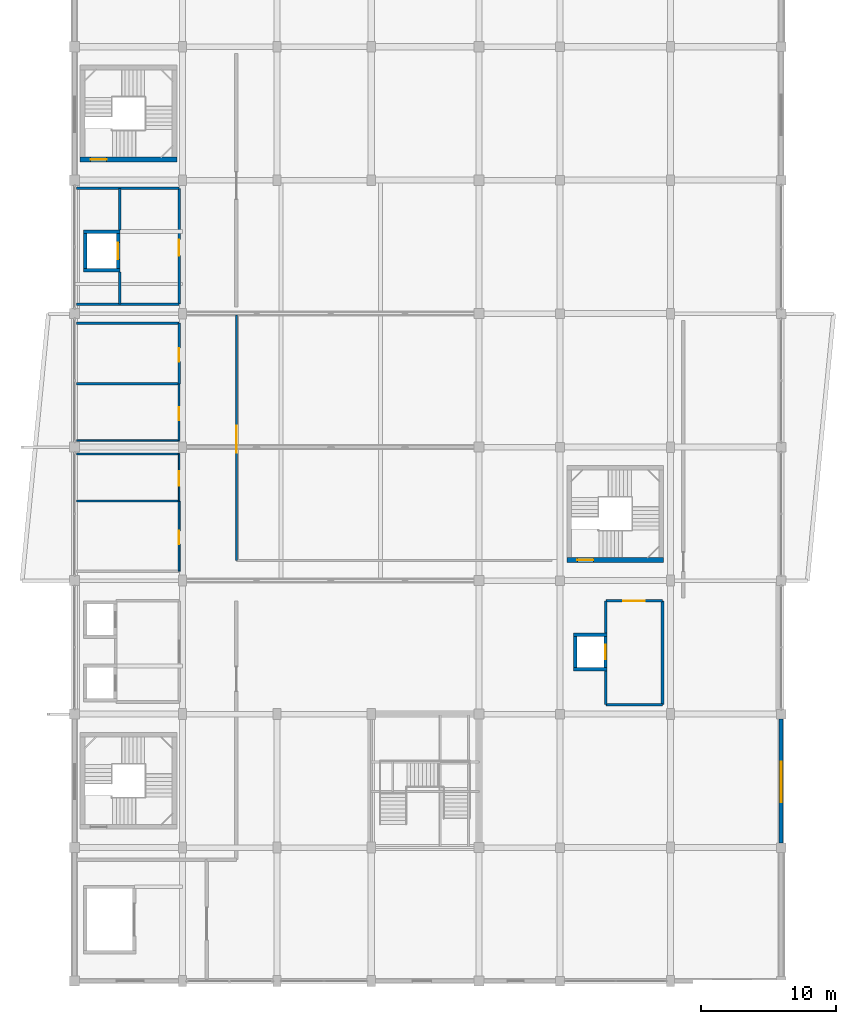
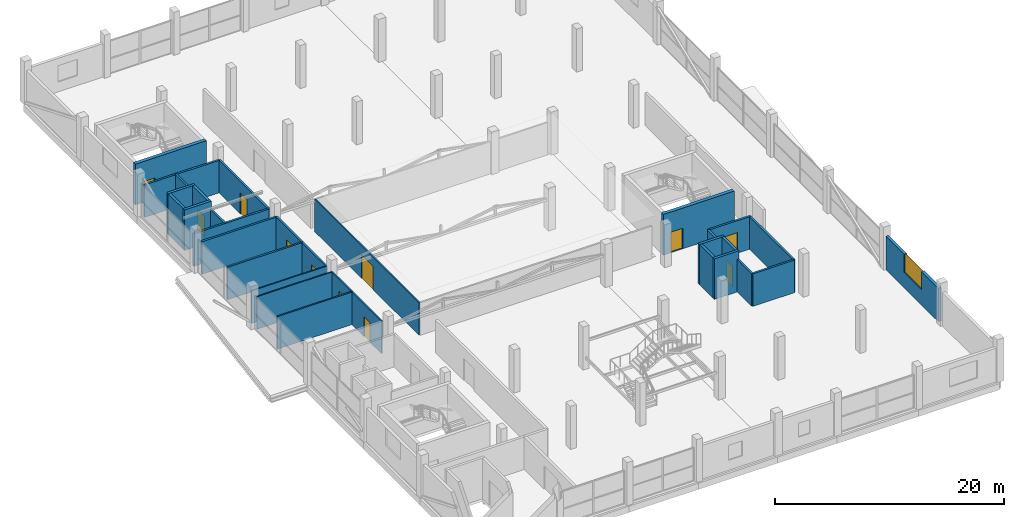
# One storey, part 42 of 58: 31 walls, 11 doors, 1 window, 12 openings.
"""IFC4 building model written with IfcOpenShell, lengths in metres."""

from ifc_helpers import new_model, si_unit, direction, frame, frame_2d, origin, place, context, subcontext, project, spatial, rectangle, extrude, material, layer, layer_set, type_object, element, fill, save


model = new_model("IFC4")

# Units and contexts
model_context = context("Model", 3, precision=1e-05, world=origin(), true_north=direction((0.0, 1.0)))
body_context = subcontext(model_context, "Body", "Model", "MODEL_VIEW")
ifc_project = project(units=[si_unit("LENGTHUNIT", "METRE"), si_unit("AREAUNIT", "SQUARE_METRE"), si_unit("VOLUMEUNIT", "CUBIC_METRE"), si_unit("PLANEANGLEUNIT", "RADIAN"), si_unit("MASSUNIT", "GRAM", prefix="KILO")], contexts=[model_context])

# Site, building, storey
site_placement = place(None, origin())
site = spatial("IfcSite", under=ifc_project, at=site_placement, CompositionType="ELEMENT")
building_placement = place(site_placement, origin())
building = spatial("IfcBuilding", under=site, at=building_placement, Name="Sillaruma Civic Art Gallery", CompositionType="ELEMENT")
storey_placement = place(building_placement, frame((0.0, 0.0, 28.56005859375)))
storey = spatial("IfcBuildingStorey", under=building, at=storey_placement, Name="L05", CompositionType="ELEMENT", Elevation=28.56005859375)

# Wall, opening, door
ifc_material_1 = material(Name="Concrete H40 (40 MPa)", Category="concrete")
ifc_layer_1 = layer(ifc_material_1, 0.35009765625, Name="Concrete H40 (40 MPa)")
ifc_layer_set_1 = layer_set([ifc_layer_1], Name="Concrete H40 (40 MPa)")
wall_type_1 = type_object("IfcWallType", Name="WAL-CORE-350", PredefinedType="SHEAR", material=ifc_layer_set_1)
wall_1_placement = place(storey_placement, frame((62.409912109375, 80.735107421875, 0.0), z_axis=(0.0, 0.0, 1.0), x_axis=(1.0, 0.0, 0.0)))
wall_1 = element("IfcWall", 1, at=wall_1_placement, inside=storey, type_object=wall_type_1, Name="Stair Core Shear Wall W-CORE-350 (ST-02:L05:S)", PredefinedType="SHEAR", context=body_context, shape_type="SweptSolid", body=[
    extrude(rectangle(XDim=7.18017578125, YDim=0.35009765625, at=frame_2d((3.590087890625, 0.0))), origin(), (0.0, 0.0, 1.0), 4.349853515625),
])
opening_1_placement = place(wall_1_placement, frame((0.77001953125, 0.0, 0.0)))
opening_1 = element("IfcOpeningElement", 2, at=opening_1_placement, cuts=wall_1, Name="Opening D-STAIR", PredefinedType="OPENING", context=body_context, shape_type="SweptSolid", body=[
    extrude(rectangle(XDim=1.199951171875, YDim=2.199951171875, at=frame_2d((0.60009765625, 1.10009765625))), frame((0.0, 0.18505859375, 0.0), z_axis=(0.0, -1.0, 0.0), x_axis=(1.0, 0.0, 0.0)), (0.0, 0.0, 1.0), 0.3701171875),
])
ifc_material_2 = material(Name="Galvanised Steel ASTM A653 Gr.50", Category="steel")
door_type_1 = type_object("IfcDoorType", Name="DOR-STAIR-120", OperationType="NOTDEFINED", PredefinedType="DOOR", material=ifc_material_2)
door_1_placement = place(opening_1_placement, origin())
door_1 = element("IfcDoor", 3, at=door_1_placement, inside=storey, type_object=door_type_1, Name="Protected Stair Fire Door (ST-02:L05)", OperationType="SINGLE_SWING_LEFT", OverallHeight=2.199951171875, OverallWidth=1.199951171875, PredefinedType="DOOR", context=body_context, shape_type="SweptSolid", body=[
    extrude(rectangle(XDim=1.199951171875, YDim=2.199951171875, at=frame_2d((0.60009765625, 1.10009765625))), frame((0.0, 0.02490234375, 0.0), z_axis=(0.0, -1.0, 0.0), x_axis=(1.0, 0.0, 0.0)), (0.0, 0.0, 1.0), 0.050048828125),
])
fill(opening_1, door_1)

wall_2_placement = place(storey_placement, frame((98.510009765625, 51.034912109375, 0.0), z_axis=(0.0, 0.0, 1.0), x_axis=(1.0, 0.0, 0.0)))
wall_2 = element("IfcWall", 4, at=wall_2_placement, inside=storey, type_object=wall_type_1, Name="Stair Core Shear Wall W-CORE-350 (ST-04:L05:S)", PredefinedType="SHEAR", context=body_context, shape_type="SweptSolid", body=[
    extrude(rectangle(XDim=7.179931640625, YDim=0.35009765625, at=frame_2d((3.58984375, 0.0))), origin(), (0.0, 0.0, 1.0), 4.349853515625),
])
opening_2_placement = place(wall_2_placement, frame((0.77001953125, 0.0, 0.0)))
opening_2 = element("IfcOpeningElement", 5, at=opening_2_placement, cuts=wall_2, Name="Opening D-STAIR", PredefinedType="OPENING", context=body_context, shape_type="SweptSolid", body=[
    extrude(rectangle(XDim=1.199951171875, YDim=2.199951171875, at=frame_2d((0.60009765625, 1.10009765625))), frame((0.0, 0.18505859375, 0.0), z_axis=(0.0, -1.0, 0.0), x_axis=(1.0, 0.0, 0.0)), (0.0, 0.0, 1.0), 0.3701171875),
])
door_2_placement = place(opening_2_placement, origin())
door_2 = element("IfcDoor", 6, at=door_2_placement, inside=storey, type_object=door_type_1, Name="Protected Stair Fire Door (ST-04:L05)", OperationType="SINGLE_SWING_LEFT", OverallHeight=2.199951171875, OverallWidth=1.199951171875, PredefinedType="DOOR", context=body_context, shape_type="SweptSolid", body=[
    extrude(rectangle(XDim=1.199951171875, YDim=2.199951171875, at=frame_2d((0.60009765625, 1.10009765625))), frame((0.0, 0.02490234375, 0.0), z_axis=(0.0, -1.0, 0.0), x_axis=(1.0, 0.0, 0.0)), (0.0, 0.0, 1.0), 0.050048828125),
])
fill(opening_2, door_2)

# Wall, opening, window
ifc_material_3 = material(Name="Concrete H35 (35 MPa)", Category="concrete")
ifc_layer_2 = layer(ifc_material_3, 0.159912109375, Name="Concrete backup", Category="concrete")
ifc_material_4 = material(Name="Mineral Wool Thermal Insulation", Category="insulation")
ifc_layer_3 = layer(ifc_material_4, 0.090087890625, Name="Thermal insulation", Category="insulation")
ifc_material_5 = material(Name="Anodised Zinc-Aluminium Alloy", Category="aluminium")
ifc_layer_4 = layer(ifc_material_5, 0.030029296875, Name="Rainscreen finish", Category="aluminium")
ifc_layer_set_2 = layer_set([ifc_layer_2, ifc_layer_3, ifc_layer_4], Name="W-EXT-280")
wall_type_2 = type_object("IfcWallType", Name="WAL-EXT-280", PredefinedType="SOLIDWALL", material=ifc_layer_set_2)
wall_3_placement = place(storey_placement, frame((114.39990234375, 30.050048828125, 0.0), z_axis=(0.0, 0.0, 1.0), x_axis=(0.0, 1.0, 0.0)))
wall_3 = element("IfcWall", 7, at=wall_3_placement, inside=storey, type_object=wall_type_2, Name="Exterior Wall W-EXT-280 (EW-L05-E-2)", PredefinedType="SOLIDWALL", context=body_context, shape_type="SweptSolid", body=[
    extrude(rectangle(XDim=9.199951171875, YDim=0.280029296875, at=frame_2d((4.60009765625, 0.0))), origin(), (0.0, 0.0, 1.0), 3.56982421875),
])
opening_3_placement = place(wall_3_placement, frame((3.0, 0.0, 1.64990234375)))
opening_3 = element("IfcOpeningElement", 8, at=opening_3_placement, cuts=wall_3, Name="Opening WN-10", PredefinedType="OPENING", context=body_context, shape_type="SweptSolid", body=[
    extrude(rectangle(XDim=3.0, YDim=1.949951171875, at=frame_2d((1.5, 0.97509765625))), frame((0.0, 0.14990234375, 0.0), z_axis=(0.0, -1.0, 0.0), x_axis=(1.0, 0.0, 0.0)), (0.0, 0.0, 1.0), 0.300048828125),
])
ifc_material_6 = material(Name="Thermally Broken Extruded Aluminium 6063-T6", Category="aluminium")
window_type = type_object("IfcWindowType", Name="WIN-W10", PartitioningType="SINGLE_PANEL", PredefinedType="WINDOW", material=ifc_material_6)
window_placement = place(opening_3_placement, origin())
window = element("IfcWindow", 9, at=window_placement, inside=storey, type_object=window_type, Name="Window WN-10 (EW-L05-E-2-1)", OverallHeight=1.949951171875, OverallWidth=3.0, PartitioningType="SINGLE_PANEL", PredefinedType="WINDOW", context=body_context, shape_type="SweptSolid", body=[
    extrude(rectangle(XDim=3.0, YDim=1.949951171875, at=frame_2d((1.5, 0.97509765625))), frame((0.0, 0.030029296875, 0.0), z_axis=(0.0, -1.0, 0.0), x_axis=(1.0, 0.0, 0.0)), (0.0, 0.0, 1.0), 0.06005859375),
])
fill(opening_3, window)

# Walls
ifc_material_7 = material(Name="Concrete Masonry Unit Grade M15", Category="masonry")
ifc_layer_5 = layer(ifc_material_7, 0.199951171875, Name="Concrete Masonry Unit Grade M15")
ifc_layer_set_3 = layer_set([ifc_layer_5], Name="Concrete Masonry Unit Grade M15")
wall_type_3 = type_object("IfcWallType", Name="WAL-LOBBY-200", PredefinedType="SOLIDWALL", material=ifc_layer_set_3)
for number, where, z_axis, x_axis, name in (
    (10, (62.14990234375, 70.0, 0.0), (0.0, 0.0, 1.0), (1.0, 0.0, 0.0), "Interior Wall W-LOBBY-200 (L05-FFL)"),
    (11, (62.14990234375, 78.60009765625, 0.0), (0.0, 0.0, 1.0), (1.0, 0.0, 0.0), "Interior Wall W-LOBBY-200 (L05-FFL)"),
):
    element("IfcWall", number, at=place(storey_placement, frame(where, z_axis=z_axis, x_axis=x_axis)), inside=storey, type_object=wall_type_3, Name=name, PredefinedType="SOLIDWALL", context=body_context, shape_type="SweptSolid", body=[
        extrude(rectangle(XDim=7.60009765625, YDim=0.199951171875, at=frame_2d((3.800048828125, 0.0))), origin(), (0.0, 0.0, 1.0), 3.469970703125),
    ])
wall_4_placement = place(storey_placement, frame((65.35009765625, 70.0, 0.0), z_axis=(0.0, 0.0, 1.0), x_axis=(0.0, 1.0, 0.0)))
element("IfcWall", 12, at=wall_4_placement, inside=storey, type_object=wall_type_3, Name="Interior Wall W-LOBBY-200 (L05-FFL)", PredefinedType="SOLIDWALL", context=body_context, shape_type="SweptSolid", body=[
    extrude(rectangle(XDim=2.39990234375, YDim=0.199951171875, at=frame_2d((1.199951171875, 0.0))), origin(), (0.0, 0.0, 1.0), 3.469970703125),
])
wall_5_placement = place(storey_placement, frame((65.35009765625, 75.5, 0.0), z_axis=(0.0, 0.0, 1.0), x_axis=(0.0, 1.0, 0.0)))
element("IfcWall", 13, at=wall_5_placement, inside=storey, type_object=wall_type_3, Name="Interior Wall W-LOBBY-200 (L05-FFL)", PredefinedType="SOLIDWALL", context=body_context, shape_type="SweptSolid", body=[
    extrude(rectangle(XDim=3.10009765625, YDim=0.199951171875, at=frame_2d((1.550048828125, 0.0))), origin(), (0.0, 0.0, 1.0), 3.469970703125),
])

# Wall, opening, door
wall_6_placement = place(storey_placement, frame((69.75, 70.0, 0.0), z_axis=(0.0, 0.0, 1.0), x_axis=(0.0, 1.0, 0.0)))
wall_6 = element("IfcWall", 14, at=wall_6_placement, inside=storey, type_object=wall_type_3, Name="Interior Wall W-LOBBY-200 (L05-FFL)", PredefinedType="SOLIDWALL", context=body_context, shape_type="SweptSolid", body=[
    extrude(rectangle(XDim=8.60009765625, YDim=0.199951171875, at=frame_2d((4.300048828125, 0.0))), origin(), (0.0, 0.0, 1.0), 3.469970703125),
])
opening_4_placement = place(wall_6_placement, frame((3.60009765625, 0.0, 0.0)))
opening_4 = element("IfcOpeningElement", 15, at=opening_4_placement, cuts=wall_6, Name="Opening D-FFL", PredefinedType="OPENING", context=body_context, shape_type="SweptSolid", body=[
    extrude(rectangle(XDim=1.199951171875, YDim=2.25, at=frame_2d((0.60009765625, 1.125))), frame((0.0, 0.10986328125, 0.0), z_axis=(0.0, -1.0, 0.0), x_axis=(1.0, 0.0, 0.0)), (0.0, 0.0, 1.0), 0.219970703125),
])
door_type_2 = type_object("IfcDoorType", Name="DOR-FFL-120", OperationType="NOTDEFINED", PredefinedType="DOOR", material=ifc_material_2)
door_3_placement = place(opening_4_placement, origin())
door_3 = element("IfcDoor", 16, at=door_3_placement, inside=storey, type_object=door_type_2, Name="Firefighting Lobby Door (D-FFL)", OperationType="SINGLE_SWING_LEFT", OverallHeight=2.25, OverallWidth=1.199951171875, PredefinedType="DOOR", context=body_context, shape_type="SweptSolid", body=[
    extrude(rectangle(XDim=1.199951171875, YDim=2.25, at=frame_2d((0.60009765625, 1.125))), frame((0.0, 0.02490234375, 0.0), z_axis=(0.0, -1.0, 0.0), x_axis=(1.0, 0.0, 0.0)), (0.0, 0.0, 1.0), 0.050048828125),
])
fill(opening_4, door_3)

# Wall
wall_7_placement = place(storey_placement, frame((62.14990234375, 68.60009765625, 0.0), z_axis=(0.0, 0.0, 1.0), x_axis=(1.0, 0.0, 0.0)))
element("IfcWall", 17, at=wall_7_placement, inside=storey, type_object=wall_type_3, Name="Interior Wall W-LOBBY-200 (L05-RSR)", PredefinedType="SOLIDWALL", context=body_context, shape_type="SweptSolid", body=[
    extrude(rectangle(XDim=7.60009765625, YDim=0.199951171875, at=frame_2d((3.800048828125, 0.0))), origin(), (0.0, 0.0, 1.0), 3.469970703125),
])

# Wall, opening, door
wall_8_placement = place(storey_placement, frame((69.75, 64.10009765625, 0.0), z_axis=(0.0, 0.0, 1.0), x_axis=(0.0, 1.0, 0.0)))
wall_8 = element("IfcWall", 18, at=wall_8_placement, inside=storey, type_object=wall_type_3, Name="Interior Wall W-LOBBY-200 (L05-RSR)", PredefinedType="SOLIDWALL", context=body_context, shape_type="SweptSolid", body=[
    extrude(rectangle(XDim=4.5, YDim=0.199951171875, at=frame_2d((2.25, 0.0))), origin(), (0.0, 0.0, 1.0), 3.469970703125),
])
opening_5_placement = place(wall_8_placement, frame((1.64990234375, 0.0, 0.0)))
opening_5 = element("IfcOpeningElement", 19, at=opening_5_placement, cuts=wall_8, Name="Opening D-RISER", PredefinedType="OPENING", context=body_context, shape_type="SweptSolid", body=[
    extrude(rectangle(XDim=1.0, YDim=2.14990234375, at=frame_2d((0.5, 1.074951171875))), frame((0.0, 0.10986328125, 0.0), z_axis=(0.0, -1.0, 0.0), x_axis=(1.0, 0.0, 0.0)), (0.0, 0.0, 1.0), 0.219970703125),
])
door_type_3 = type_object("IfcDoorType", Name="DOR-RISER-100", OperationType="NOTDEFINED", PredefinedType="DOOR", material=ifc_material_2)
door_4_placement = place(opening_5_placement, origin())
door_4 = element("IfcDoor", 20, at=door_4_placement, inside=storey, type_object=door_type_3, Name="MEP Service Riser Door (D-RISER)", OperationType="SINGLE_SWING_LEFT", OverallHeight=2.14990234375, OverallWidth=1.0, PredefinedType="DOOR", context=body_context, shape_type="SweptSolid", body=[
    extrude(rectangle(XDim=1.0, YDim=2.14990234375, at=frame_2d((0.5, 1.074951171875))), frame((0.0, 0.02490234375, 0.0), z_axis=(0.0, -1.0, 0.0), x_axis=(1.0, 0.0, 0.0)), (0.0, 0.0, 1.0), 0.050048828125),
])
fill(opening_5, door_4)

# Walls
wall_9_placement = place(storey_placement, frame((101.39990234375, 40.300048828125, 0.0), z_axis=(0.0, 0.0, 1.0), x_axis=(1.0, 0.0, 0.0)))
element("IfcWall", 21, at=wall_9_placement, inside=storey, type_object=wall_type_3, Name="Interior Wall W-LOBBY-200 (L05-LLE)", PredefinedType="SOLIDWALL", context=body_context, shape_type="SweptSolid", body=[
    extrude(rectangle(XDim=4.2001953125, YDim=0.199951171875, at=frame_2d((2.10009765625, 0.0))), origin(), (0.0, 0.0, 1.0), 3.469970703125),
])
wall_10_placement = place(storey_placement, frame((101.39990234375, 40.300048828125, 0.0), z_axis=(0.0, 0.0, 1.0), x_axis=(0.0, 1.0, 0.0)))
element("IfcWall", 22, at=wall_10_placement, inside=storey, type_object=wall_type_3, Name="Interior Wall W-LOBBY-200 (L05-LLE)", PredefinedType="SOLIDWALL", context=body_context, shape_type="SweptSolid", body=[
    extrude(rectangle(XDim=2.5, YDim=0.199951171875, at=frame_2d((1.25, 0.0))), origin(), (0.0, 0.0, 1.0), 3.469970703125),
])
wall_11_placement = place(storey_placement, frame((101.39990234375, 45.60009765625, 0.0), z_axis=(0.0, 0.0, 1.0), x_axis=(0.0, 1.0, 0.0)))
element("IfcWall", 23, at=wall_11_placement, inside=storey, type_object=wall_type_3, Name="Interior Wall W-LOBBY-200 (L05-LLE)", PredefinedType="SOLIDWALL", context=body_context, shape_type="SweptSolid", body=[
    extrude(rectangle(XDim=2.39990234375, YDim=0.199951171875, at=frame_2d((1.199951171875, 0.0))), origin(), (0.0, 0.0, 1.0), 3.469970703125),
])
wall_12_placement = place(storey_placement, frame((105.60009765625, 40.300048828125, 0.0), z_axis=(0.0, 0.0, 1.0), x_axis=(0.0, 1.0, 0.0)))
element("IfcWall", 24, at=wall_12_placement, inside=storey, type_object=wall_type_3, Name="Interior Wall W-LOBBY-200 (L05-LLE)", PredefinedType="SOLIDWALL", context=body_context, shape_type="SweptSolid", body=[
    extrude(rectangle(XDim=7.699951171875, YDim=0.199951171875, at=frame_2d((3.85009765625, 0.0))), origin(), (0.0, 0.0, 1.0), 3.469970703125),
])

# Wall, opening, door
wall_13_placement = place(storey_placement, frame((101.39990234375, 48.0, 0.0), z_axis=(0.0, 0.0, 1.0), x_axis=(1.0, 0.0, 0.0)))
wall_13 = element("IfcWall", 25, at=wall_13_placement, inside=storey, type_object=wall_type_3, Name="Interior Wall W-LOBBY-200 (L05-LLE)", PredefinedType="SOLIDWALL", context=body_context, shape_type="SweptSolid", body=[
    extrude(rectangle(XDim=4.2001953125, YDim=0.199951171875, at=frame_2d((2.10009765625, 0.0))), origin(), (0.0, 0.0, 1.0), 3.469970703125),
])
opening_6_placement = place(wall_13_placement, frame((1.300048828125, 0.0, 0.0)))
opening_6 = element("IfcOpeningElement", 26, at=opening_6_placement, cuts=wall_13, Name="Opening D-LOBBY", PredefinedType="OPENING", context=body_context, shape_type="SweptSolid", body=[
    extrude(rectangle(XDim=1.60009765625, YDim=2.199951171875, at=frame_2d((0.800048828125, 1.10009765625))), frame((0.0, 0.10986328125, 0.0), z_axis=(0.0, -1.0, 0.0), x_axis=(1.0, 0.0, 0.0)), (0.0, 0.0, 1.0), 0.219970703125),
])
door_type_4 = type_object("IfcDoorType", Name="DOR-LOBBY-160", OperationType="NOTDEFINED", PredefinedType="DOOR", material=ifc_material_6)
door_5_placement = place(opening_6_placement, origin())
door_5 = element("IfcDoor", 27, at=door_5_placement, inside=storey, type_object=door_type_4, Name="East Lift Lobby Door (D-LOBBY)", OperationType="DOUBLE_DOOR_SINGLE_SWING", OverallHeight=2.199951171875, OverallWidth=1.60009765625, PredefinedType="DOOR", context=body_context, shape_type="SweptSolid", body=[
    extrude(rectangle(XDim=1.60009765625, YDim=2.199951171875, at=frame_2d((0.800048828125, 1.10009765625))), frame((0.0, 0.02490234375, 0.0), z_axis=(0.0, -1.0, 0.0), x_axis=(1.0, 0.0, 0.0)), (0.0, 0.0, 1.0), 0.050048828125),
])
fill(opening_6, door_5)

# Wall
ifc_material_8 = material(Name="Gypsum Acoustic Board", Category="gypsum")
ifc_layer_6 = layer(ifc_material_8, 0.02490234375, Name="Finish board", Category="gypsum")
ifc_layer_7 = layer(ifc_material_4, 0.06005859375, Name="Acoustic core", Category="insulation")
ifc_material_9 = material(Name="Andean Oak Timber", Category="wood")
ifc_layer_8 = layer(ifc_material_9, 0.02490234375, Name="Gallery lining", Category="wood")
ifc_layer_set_4 = layer_set([ifc_layer_6, ifc_layer_7, ifc_layer_8], Name="W-PT-110")
wall_type_4 = type_object("IfcWallType", Name="WAL-PART-110", PredefinedType="PARTITIONING", material=ifc_layer_set_4)
wall_14_placement = place(storey_placement, frame((62.14990234375, 59.89990234375, 0.0), z_axis=(0.0, 0.0, 1.0), x_axis=(1.0, 0.0, 0.0)))
element("IfcWall", 28, at=wall_14_placement, inside=storey, type_object=wall_type_4, Name="Interior Wall W-PT-110 (L05-CLN)", PredefinedType="PARTITIONING", context=body_context, shape_type="SweptSolid", body=[
    extrude(rectangle(XDim=7.60009765625, YDim=0.110107421875, at=frame_2d((3.800048828125, 0.0))), origin(), (0.0, 0.0, 1.0), 3.469970703125),
])

# Wall, opening, door
ifc_layer_9 = layer(ifc_material_8, 0.02490234375, Name="Finish board", Category="gypsum")
ifc_layer_10 = layer(ifc_material_4, 0.070068359375, Name="Acoustic core", Category="insulation")
ifc_layer_11 = layer(ifc_material_9, 0.02490234375, Name="Gallery lining", Category="wood")
ifc_layer_set_5 = layer_set([ifc_layer_9, ifc_layer_10, ifc_layer_11], Name="W-PT-120")
wall_type_5 = type_object("IfcWallType", Name="WAL-PART-120", PredefinedType="PARTITIONING", material=ifc_layer_set_5)
wall_15_placement = place(storey_placement, frame((69.75, 55.39990234375, 0.0), z_axis=(0.0, 0.0, 1.0), x_axis=(0.0, 1.0, 0.0)))
wall_15 = element("IfcWall", 29, at=wall_15_placement, inside=storey, type_object=wall_type_5, Name="Interior Wall W-PT-120 (L05-WCA)", PredefinedType="PARTITIONING", context=body_context, shape_type="SweptSolid", body=[
    extrude(rectangle(XDim=3.5, YDim=0.1201171875, at=frame_2d((1.75, 0.0))), origin(), (0.0, 0.0, 1.0), 3.469970703125),
])
opening_7_placement = place(wall_15_placement, frame((1.14990234375, 0.0, 0.0)))
opening_7 = element("IfcOpeningElement", 30, at=opening_7_placement, cuts=wall_15, Name="Opening D-AWC10", PredefinedType="OPENING", context=body_context, shape_type="SweptSolid", body=[
    extrude(rectangle(XDim=1.050048828125, YDim=2.14990234375, at=frame_2d((0.52490234375, 1.074951171875))), frame((0.0, 0.070068359375, 0.0), z_axis=(0.0, -1.0, 0.0), x_axis=(1.0, 0.0, 0.0)), (0.0, 0.0, 1.0), 0.14013671875),
])
door_type_5 = type_object("IfcDoorType", Name="DOR-AWC-105", OperationType="NOTDEFINED", PredefinedType="DOOR", material=ifc_material_9)
door_6_placement = place(opening_7_placement, origin())
door_6 = element("IfcDoor", 31, at=door_6_placement, inside=storey, type_object=door_type_5, Name="Accessible WC Door (D-AWC10)", OperationType="SINGLE_SWING_LEFT", OverallHeight=2.14990234375, OverallWidth=1.050048828125, PredefinedType="DOOR", context=body_context, shape_type="SweptSolid", body=[
    extrude(rectangle(XDim=1.050048828125, YDim=2.14990234375, at=frame_2d((0.52490234375, 1.074951171875))), frame((0.0, 0.02490234375, 0.0), z_axis=(0.0, -1.0, 0.0), x_axis=(1.0, 0.0, 0.0)), (0.0, 0.0, 1.0), 0.050048828125),
])
fill(opening_7, door_6)

# Wall
ifc_layer_12 = layer(ifc_material_8, 0.02490234375, Name="Finish board", Category="gypsum")
ifc_layer_13 = layer(ifc_material_4, 0.080078125, Name="Acoustic core", Category="insulation")
ifc_layer_14 = layer(ifc_material_9, 0.02490234375, Name="Gallery lining", Category="wood")
ifc_layer_set_6 = layer_set([ifc_layer_12, ifc_layer_13, ifc_layer_14], Name="W-PT-130")
wall_type_6 = type_object("IfcWallType", Name="WAL-PART-130", PredefinedType="PARTITIONING", material=ifc_layer_set_6)
wall_16_placement = place(storey_placement, frame((62.14990234375, 58.89990234375, 0.0), z_axis=(0.0, 0.0, 1.0), x_axis=(1.0, 0.0, 0.0)))
element("IfcWall", 32, at=wall_16_placement, inside=storey, type_object=wall_type_6, Name="Interior Wall W-PT-130 (L05-WCA)", PredefinedType="PARTITIONING", context=body_context, shape_type="SweptSolid", body=[
    extrude(rectangle(XDim=7.60009765625, YDim=0.1298828125, at=frame_2d((3.800048828125, 0.0))), origin(), (0.0, 0.0, 1.0), 3.469970703125),
])

# Wall, opening, door
wall_17_placement = place(storey_placement, frame((74.0, 51.0, 0.0), z_axis=(0.0, 0.0, 1.0), x_axis=(0.0, 1.0, 0.0)))
wall_17 = element("IfcWall", 33, at=wall_17_placement, inside=storey, type_object=wall_type_6, Name="Interior Wall W-PT-130 (L05-GAL51)", PredefinedType="PARTITIONING", context=body_context, shape_type="SweptSolid", body=[
    extrude(rectangle(XDim=18.199951171875, YDim=0.1298828125, at=frame_2d((9.10009765625, 0.0))), origin(), (0.0, 0.0, 1.0), 3.469970703125),
])
opening_8_placement = place(wall_17_placement, frame((8.0, 0.0, 0.0)))
opening_8 = element("IfcOpeningElement", 34, at=opening_8_placement, cuts=wall_17, Name="Opening D-GAL20", PredefinedType="OPENING", context=body_context, shape_type="SweptSolid", body=[
    extrude(rectangle(XDim=2.0, YDim=2.5, at=frame_2d((1.0, 1.25))), frame((0.0, 0.074951171875, 0.0), z_axis=(0.0, -1.0, 0.0), x_axis=(1.0, 0.0, 0.0)), (0.0, 0.0, 1.0), 0.14990234375),
])
door_type_6 = type_object("IfcDoorType", Name="DOR-GAL-200", OperationType="NOTDEFINED", PredefinedType="DOOR", material=ifc_material_9)
door_7_placement = place(opening_8_placement, origin())
door_7 = element("IfcDoor", 35, at=door_7_placement, inside=storey, type_object=door_type_6, Name="Clerestory Truss Gallery Door (D-GAL20)", OperationType="DOUBLE_DOOR_SINGLE_SWING", OverallHeight=2.5, OverallWidth=2.0, PredefinedType="DOOR", context=body_context, shape_type="SweptSolid", body=[
    extrude(rectangle(XDim=2.0, YDim=2.5, at=frame_2d((1.0, 1.25))), frame((0.0, 0.02490234375, 0.0), z_axis=(0.0, -1.0, 0.0), x_axis=(1.0, 0.0, 0.0)), (0.0, 0.0, 1.0), 0.050048828125),
])
fill(opening_8, door_7)

ifc_layer_15 = layer(ifc_material_8, 0.02490234375, Name="Finish board", Category="gypsum")
ifc_layer_16 = layer(ifc_material_4, 0.090087890625, Name="Acoustic core", Category="insulation")
ifc_layer_17 = layer(ifc_material_9, 0.02490234375, Name="Gallery lining", Category="wood")
ifc_layer_set_7 = layer_set([ifc_layer_15, ifc_layer_16, ifc_layer_17], Name="W-PT-140")
wall_type_7 = type_object("IfcWallType", Name="WAL-PART-140", PredefinedType="PARTITIONING", material=ifc_layer_set_7)
wall_18_placement = place(storey_placement, frame((69.75, 50.199951171875, 0.0), z_axis=(0.0, 0.0, 1.0), x_axis=(0.0, 1.0, 0.0)))
wall_18 = element("IfcWall", 36, at=wall_18_placement, inside=storey, type_object=wall_type_7, Name="Interior Wall W-PT-140 (L05-WC1)", PredefinedType="PARTITIONING", context=body_context, shape_type="SweptSolid", body=[
    extrude(rectangle(XDim=5.199951171875, YDim=0.139892578125, at=frame_2d((2.60009765625, 0.0))), origin(), (0.0, 0.0, 1.0), 3.469970703125),
])
opening_9_placement = place(wall_18_placement, frame((2.0, 0.0, 0.0)))
opening_9 = element("IfcOpeningElement", 37, at=opening_9_placement, cuts=wall_18, Name="Opening D-WC10", PredefinedType="OPENING", context=body_context, shape_type="SweptSolid", body=[
    extrude(rectangle(XDim=1.0, YDim=2.10009765625, at=frame_2d((0.5, 1.050048828125))), frame((0.0, 0.079833984375, 0.0), z_axis=(0.0, -1.0, 0.0), x_axis=(1.0, 0.0, 0.0)), (0.0, 0.0, 1.0), 0.159912109375),
])
door_type_7 = type_object("IfcDoorType", Name="DOR-WC-100", OperationType="NOTDEFINED", PredefinedType="DOOR", material=ifc_material_9)
door_8_placement = place(opening_9_placement, origin())
door_8 = element("IfcDoor", 38, at=door_8_placement, inside=storey, type_object=door_type_7, Name="Public WC Door (D-WC10)", OperationType="SINGLE_SWING_RIGHT", OverallHeight=2.10009765625, OverallWidth=1.0, PredefinedType="DOOR", context=body_context, shape_type="SweptSolid", body=[
    extrude(rectangle(XDim=1.0, YDim=2.10009765625, at=frame_2d((0.5, 1.050048828125))), frame((0.0, 0.02490234375, 0.0), z_axis=(0.0, -1.0, 0.0), x_axis=(1.0, 0.0, 0.0)), (0.0, 0.0, 1.0), 0.050048828125),
])
fill(opening_9, door_8)

# Wall
ifc_layer_18 = layer(ifc_material_8, 0.02490234375, Name="Finish board", Category="gypsum")
ifc_layer_19 = layer(ifc_material_4, 0.10009765625, Name="Acoustic core", Category="insulation")
ifc_layer_20 = layer(ifc_material_9, 0.02490234375, Name="Gallery lining", Category="wood")
ifc_layer_set_8 = layer_set([ifc_layer_18, ifc_layer_19, ifc_layer_20], Name="W-PT-150")
wall_type_8 = type_object("IfcWallType", Name="WAL-PART-150", PredefinedType="PARTITIONING", material=ifc_layer_set_8)
wall_19_placement = place(storey_placement, frame((62.14990234375, 55.39990234375, 0.0), z_axis=(0.0, 0.0, 1.0), x_axis=(1.0, 0.0, 0.0)))
element("IfcWall", 39, at=wall_19_placement, inside=storey, type_object=wall_type_8, Name="Interior Wall W-PT-150 (L05-WC1)", PredefinedType="PARTITIONING", context=body_context, shape_type="SweptSolid", body=[
    extrude(rectangle(XDim=7.60009765625, YDim=0.14990234375, at=frame_2d((3.800048828125, 0.0))), origin(), (0.0, 0.0, 1.0), 3.469970703125),
])

# Wall, opening, door
ifc_layer_21 = layer(ifc_material_8, 0.02490234375, Name="Finish board", Category="gypsum")
ifc_layer_22 = layer(ifc_material_4, 0.114990234375, Name="Acoustic core", Category="insulation")
ifc_layer_23 = layer(ifc_material_9, 0.02490234375, Name="Gallery lining", Category="wood")
ifc_layer_set_9 = layer_set([ifc_layer_21, ifc_layer_22, ifc_layer_23], Name="W-PT-165")
wall_type_9 = type_object("IfcWallType", Name="WAL-PART-165", PredefinedType="PARTITIONING", material=ifc_layer_set_9)
wall_20_placement = place(storey_placement, frame((69.75, 59.89990234375, 0.0), z_axis=(0.0, 0.0, 1.0), x_axis=(0.0, 1.0, 0.0)))
wall_20 = element("IfcWall", 40, at=wall_20_placement, inside=storey, type_object=wall_type_9, Name="Interior Wall W-PT-165 (L05-CLN)", PredefinedType="PARTITIONING", context=body_context, shape_type="SweptSolid", body=[
    extrude(rectangle(XDim=4.2001953125, YDim=0.1650390625, at=frame_2d((2.10009765625, 0.0))), origin(), (0.0, 0.0, 1.0), 3.469970703125),
])
opening_10_placement = place(wall_20_placement, frame((1.5, 0.0, 0.0)))
opening_10 = element("IfcOpeningElement", 41, at=opening_10_placement, cuts=wall_20, Name="Opening D-SVC09", PredefinedType="OPENING", context=body_context, shape_type="SweptSolid", body=[
    extrude(rectangle(XDim=0.949951171875, YDim=2.10009765625, at=frame_2d((0.47509765625, 1.050048828125))), frame((0.0, 0.092529296875, 0.0), z_axis=(0.0, -1.0, 0.0), x_axis=(1.0, 0.0, 0.0)), (0.0, 0.0, 1.0), 0.18505859375),
])
door_type_8 = type_object("IfcDoorType", Name="DOR-SVC-095", OperationType="NOTDEFINED", PredefinedType="DOOR", material=ifc_material_9)
door_9_placement = place(opening_10_placement, origin())
door_9 = element("IfcDoor", 42, at=door_9_placement, inside=storey, type_object=door_type_8, Name="Cleaner Store Door (D-SVC09)", OperationType="SINGLE_SWING_RIGHT", OverallHeight=2.10009765625, OverallWidth=0.949951171875, PredefinedType="DOOR", context=body_context, shape_type="SweptSolid", body=[
    extrude(rectangle(XDim=0.949951171875, YDim=2.10009765625, at=frame_2d((0.47509765625, 1.050048828125))), frame((0.0, 0.02490234375, 0.0), z_axis=(0.0, -1.0, 0.0), x_axis=(1.0, 0.0, 0.0)), (0.0, 0.0, 1.0), 0.050048828125),
])
fill(opening_10, door_9)

# Walls
ifc_layer_24 = layer(ifc_material_8, 0.02490234375, Name="Finish board", Category="gypsum")
ifc_layer_25 = layer(ifc_material_4, 0.1298828125, Name="Acoustic core", Category="insulation")
ifc_layer_26 = layer(ifc_material_9, 0.02490234375, Name="Gallery lining", Category="wood")
ifc_layer_set_10 = layer_set([ifc_layer_24, ifc_layer_25, ifc_layer_26], Name="W-PT-180")
wall_type_10 = type_object("IfcWallType", Name="WAL-PART-180", PredefinedType="PARTITIONING", material=ifc_layer_set_10)
wall_21_placement = place(storey_placement, frame((62.14990234375, 64.10009765625, 0.0), z_axis=(0.0, 0.0, 1.0), x_axis=(1.0, 0.0, 0.0)))
element("IfcWall", 43, at=wall_21_placement, inside=storey, type_object=wall_type_10, Name="Interior Wall W-PT-180 (L05-CLN)", PredefinedType="PARTITIONING", context=body_context, shape_type="SweptSolid", body=[
    extrude(rectangle(XDim=7.60009765625, YDim=0.179931640625, at=frame_2d((3.800048828125, 0.0))), origin(), (0.0, 0.0, 1.0), 3.469970703125),
])
ifc_layer_27 = layer(ifc_material_1, 0.25, Name="Concrete H40 (40 MPa)")
ifc_layer_set_11 = layer_set([ifc_layer_27], Name="Concrete H40 (40 MPa)")
wall_type_11 = type_object("IfcWallType", Name="WAL-SHAFT-250", PredefinedType="SOLIDWALL", material=ifc_layer_set_11)
for number, where, z_axis, x_axis, name in (
    (44, (99.0, 42.925048828125, 0.0), (0.0, 0.0, 1.0), (1.0, 0.0, 0.0), "Lift Shaft Wall W-SHAFT-250 (PL-03:L05:S)"),
    (45, (99.0, 45.47509765625, 0.0), (0.0, 0.0, 1.0), (1.0, 0.0, 0.0), "Lift Shaft Wall W-SHAFT-250 (PL-03:L05:N)"),
):
    element("IfcWall", number, at=place(storey_placement, frame(where, z_axis=z_axis, x_axis=x_axis)), inside=storey, type_object=wall_type_11, Name=name, PredefinedType="SOLIDWALL", context=body_context, shape_type="SweptSolid", body=[
        extrude(rectangle(XDim=2.5, YDim=0.25, at=frame_2d((1.25, 0.0))), origin(), (0.0, 0.0, 1.0), 4.329833984375),
    ])
wall_22_placement = place(storey_placement, frame((99.125, 43.050048828125, 0.0), z_axis=(0.0, 0.0, 1.0), x_axis=(0.0, 1.0, 0.0)))
element("IfcWall", 46, at=wall_22_placement, inside=storey, type_object=wall_type_11, Name="Lift Shaft Wall W-SHAFT-250 (PL-03:L05:W)", PredefinedType="SOLIDWALL", context=body_context, shape_type="SweptSolid", body=[
    extrude(rectangle(XDim=2.300048828125, YDim=0.25, at=frame_2d((1.14990234375, 0.0))), origin(), (0.0, 0.0, 1.0), 4.329833984375),
])

# Wall, opening, door
wall_23_placement = place(storey_placement, frame((101.375, 43.050048828125, 0.0), z_axis=(0.0, 0.0, 1.0), x_axis=(0.0, 1.0, 0.0)))
wall_23 = element("IfcWall", 47, at=wall_23_placement, inside=storey, type_object=wall_type_11, Name="Lift Shaft Wall W-SHAFT-250 (PL-03:L05:E)", PredefinedType="SOLIDWALL", context=body_context, shape_type="SweptSolid", body=[
    extrude(rectangle(XDim=2.300048828125, YDim=0.25, at=frame_2d((1.14990234375, 0.0))), origin(), (0.0, 0.0, 1.0), 4.329833984375),
])
opening_11_placement = place(wall_23_placement, frame((0.60009765625, 0.0, 0.0)))
opening_11 = element("IfcOpeningElement", 48, at=opening_11_placement, cuts=wall_23, Name="Opening LD-01", PredefinedType="OPENING", context=body_context, shape_type="SweptSolid", body=[
    extrude(rectangle(XDim=1.10009765625, YDim=2.199951171875, at=frame_2d((0.550048828125, 1.10009765625))), frame((0.0, 0.135009765625, 0.0), z_axis=(0.0, -1.0, 0.0), x_axis=(1.0, 0.0, 0.0)), (0.0, 0.0, 1.0), 0.27001953125),
])
door_type_9 = type_object("IfcDoorType", Name="DOR-LD-01", OperationType="NOTDEFINED", PredefinedType="DOOR", material=ifc_material_2)
door_10_placement = place(opening_11_placement, origin())
door_10 = element("IfcDoor", 49, at=door_10_placement, inside=storey, type_object=door_type_9, Name="Lift Sliding Landing Door LD-01 (PL-03:L05)", OperationType="DOUBLE_DOOR_SLIDING", OverallHeight=2.199951171875, OverallWidth=1.10009765625, PredefinedType="DOOR", context=body_context, shape_type="SweptSolid", body=[
    extrude(rectangle(XDim=1.10009765625, YDim=2.199951171875, at=frame_2d((0.550048828125, 1.10009765625))), frame((0.0, 0.02490234375, 0.0), z_axis=(0.0, -1.0, 0.0), x_axis=(1.0, 0.0, 0.0)), (0.0, 0.0, 1.0), 0.050048828125),
])
fill(opening_11, door_10)

# Walls
for number, where, z_axis, x_axis, name in (
    (50, (62.64990234375, 72.52490234375, 0.0), (0.0, 0.0, 1.0), (1.0, 0.0, 0.0), "Lift Shaft Wall W-SHAFT-250 (FFL-01:L05:S)"),
    (51, (62.64990234375, 75.375, 0.0), (0.0, 0.0, 1.0), (1.0, 0.0, 0.0), "Lift Shaft Wall W-SHAFT-250 (FFL-01:L05:N)"),
):
    element("IfcWall", number, at=place(storey_placement, frame(where, z_axis=z_axis, x_axis=x_axis)), inside=storey, type_object=wall_type_11, Name=name, PredefinedType="SOLIDWALL", context=body_context, shape_type="SweptSolid", body=[
        extrude(rectangle(XDim=2.7001953125, YDim=0.25, at=frame_2d((1.35009765625, 0.0))), origin(), (0.0, 0.0, 1.0), 4.329833984375),
    ])
wall_24_placement = place(storey_placement, frame((62.77490234375, 72.64990234375, 0.0), z_axis=(0.0, 0.0, 1.0), x_axis=(0.0, 1.0, 0.0)))
element("IfcWall", 52, at=wall_24_placement, inside=storey, type_object=wall_type_11, Name="Lift Shaft Wall W-SHAFT-250 (FFL-01:L05:W)", PredefinedType="SOLIDWALL", context=body_context, shape_type="SweptSolid", body=[
    extrude(rectangle(XDim=2.60009765625, YDim=0.25, at=frame_2d((1.300048828125, 0.0))), origin(), (0.0, 0.0, 1.0), 4.329833984375),
])

# Wall, opening, door
wall_25_placement = place(storey_placement, frame((65.22509765625, 72.64990234375, 0.0), z_axis=(0.0, 0.0, 1.0), x_axis=(0.0, 1.0, 0.0)))
wall_25 = element("IfcWall", 53, at=wall_25_placement, inside=storey, type_object=wall_type_11, Name="Lift Shaft Wall W-SHAFT-250 (FFL-01:L05:E)", PredefinedType="SOLIDWALL", context=body_context, shape_type="SweptSolid", body=[
    extrude(rectangle(XDim=2.60009765625, YDim=0.25, at=frame_2d((1.300048828125, 0.0))), origin(), (0.0, 0.0, 1.0), 4.329833984375),
])
opening_12_placement = place(wall_25_placement, frame((0.675048828125, 0.0, 0.0)))
opening_12 = element("IfcOpeningElement", 54, at=opening_12_placement, cuts=wall_25, Name="Opening LD-02", PredefinedType="OPENING", context=body_context, shape_type="SweptSolid", body=[
    extrude(rectangle(XDim=1.25, YDim=2.199951171875, at=frame_2d((0.625, 1.10009765625))), frame((0.0, 0.135009765625, 0.0), z_axis=(0.0, -1.0, 0.0), x_axis=(1.0, 0.0, 0.0)), (0.0, 0.0, 1.0), 0.27001953125),
])
door_type_10 = type_object("IfcDoorType", Name="DOR-LD-02", OperationType="NOTDEFINED", PredefinedType="DOOR", material=ifc_material_2)
door_11_placement = place(opening_12_placement, origin())
door_11 = element("IfcDoor", 55, at=door_11_placement, inside=storey, type_object=door_type_10, Name="Lift Sliding Landing Door LD-02 (FFL-01:L05)", OperationType="DOUBLE_DOOR_SLIDING", OverallHeight=2.199951171875, OverallWidth=1.25, PredefinedType="DOOR", context=body_context, shape_type="SweptSolid", body=[
    extrude(rectangle(XDim=1.25, YDim=2.199951171875, at=frame_2d((0.625, 1.10009765625))), frame((0.0, 0.02490234375, 0.0), z_axis=(0.0, -1.0, 0.0), x_axis=(1.0, 0.0, 0.0)), (0.0, 0.0, 1.0), 0.050048828125),
])
fill(opening_12, door_11)

save(model, "model.ifc")
